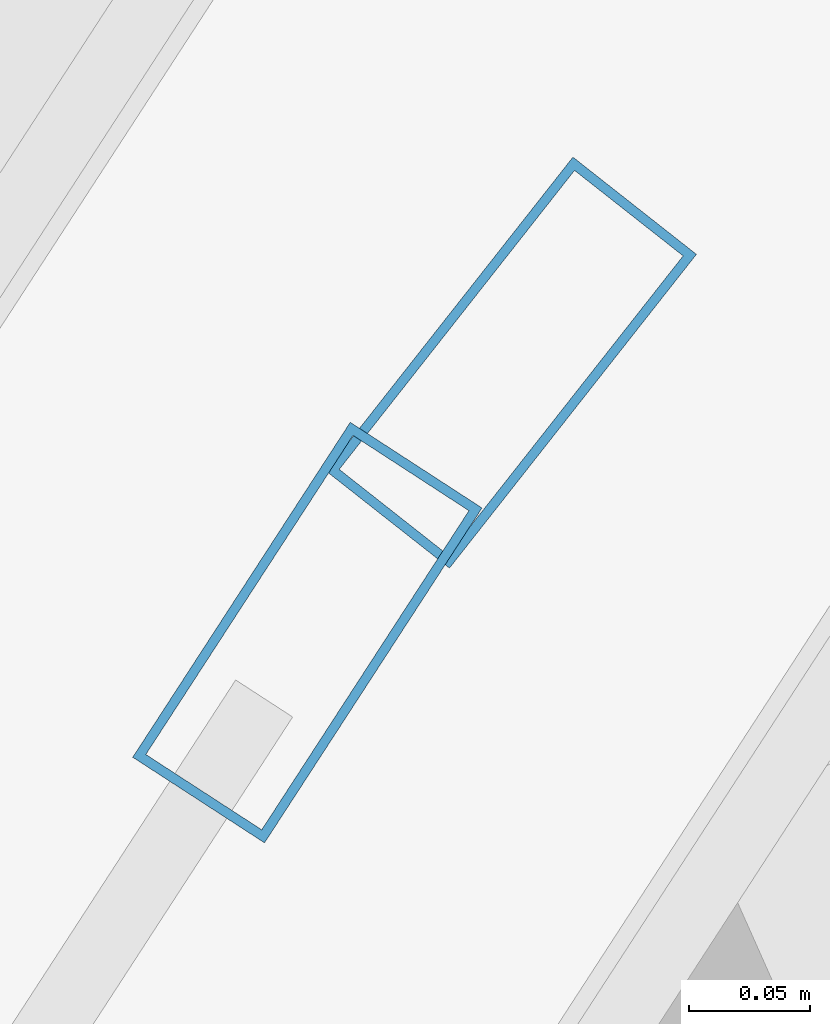
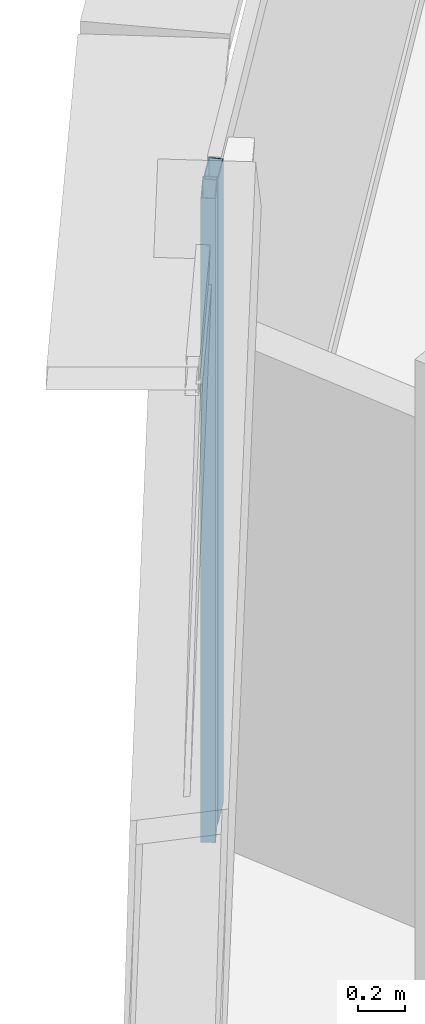
# One storey, part 17 of 38: 2 members, 2 elements without a shape of their own.
"""IFC4 building model written with IfcOpenShell, lengths in metres."""

from ifc_helpers import new_model, si_unit, direction, frame, origin, origin_2d, place, context, subcontext, project, spatial, hollow_rectangle, extrude, source, transform, mapped, material, layer, layer_set, material_profile, profile_set, type_object, element, aggregate, save


model = new_model("IFC4")

# Units and contexts
model_context = context("Model", 3, precision=1e-05, world=origin(), true_north=direction((0.0, 1.0)))
body_context = subcontext(model_context, "Body", "Model", "MODEL_VIEW")
ifc_project = project(units=[si_unit("LENGTHUNIT", "METRE"), si_unit("AREAUNIT", "SQUARE_METRE"), si_unit("VOLUMEUNIT", "CUBIC_METRE"), si_unit("PLANEANGLEUNIT", "RADIAN"), si_unit("MASSUNIT", "GRAM", prefix="KILO"), si_unit("THERMODYNAMICTEMPERATUREUNIT", "KELVIN"), si_unit("POWERUNIT", "WATT")], contexts=[model_context])

# Site, building, storey
site_placement = place(None, origin())
site = spatial("IfcSite", under=ifc_project, at=site_placement, CompositionType="ELEMENT")
building_placement = place(site_placement, origin())
building = spatial("IfcBuilding", under=site, at=building_placement, Name="Yunzhuo Pagoda Commons", CompositionType="ELEMENT")
storey_placement = place(building_placement, frame((0.0, 0.0, 30.39990234375)))
storey = spatial("IfcBuildingStorey", under=building, at=storey_placement, Name="L07", CompositionType="ELEMENT", Elevation=30.39990234375)

# Curtain wall, member
ifc_material = material(Name="Anodized aluminium 6063-T6", Category="aluminium")
ifc_layer = layer(ifc_material, 0.1650390625)
ifc_layer_set = layer_set([ifc_layer], Name="Anodized aluminium 6063-T6")
curtain_wall_type = type_object("IfcCurtainWallType", Name="CW-LOW Low-Zone Ribbon Curtain Wall", PredefinedType="NOTDEFINED", material=ifc_layer_set)
curtain_wall_1_placement = place(storey_placement, origin())
curtain_wall_1 = element("IfcCurtainWall", 1, at=curtain_wall_1_placement, inside=storey, type_object=curtain_wall_type, Name="L07 curtain wall CW-L07-F3B2", PredefinedType="NOTDEFINED")
ifc_material_profile = material_profile(ifc_material, hollow_rectangle(XDim=0.06494140625, YDim=0.1650390625, WallThickness=0.00390625, at=origin_2d()), Name="Anodized aluminium 6063-T6")
ifc_profile_set = profile_set([ifc_material_profile], Name="Anodized aluminium 6063-T6")
member_type = type_object("IfcMemberType", Name="CW-LOW-M Mullion RHS 165x65x4", PredefinedType="MULLION", material=ifc_profile_set)
shared_shape = source(origin(), body_context, "Body", "SweptSolid", [
    extrude(hollow_rectangle(XDim=0.06494140625, YDim=0.1650390625, WallThickness=0.00390625, at=origin_2d()), origin(), (0.0, 0.0, 1.0), 3.370361328125),
])
member_1_placement = place(storey_placement, frame((30.54296875, 72.84228515625, 0.0), z_axis=(0.0, 0.0, 1.0), x_axis=(0.83865240069, -0.544667009114, 0.0)))
member_1 = element("IfcMember", 2, at=member_1_placement, type_object=member_type, Name="CW mullion 1", PredefinedType="MULLION", context=body_context, shape_type="MappedRepresentation", body=[
    mapped(shared_shape, transform((0.0, 0.0, 0.0), scale=1.0)),
])
aggregate(curtain_wall_1, [member_1])

curtain_wall_2_placement = place(storey_placement, origin())
curtain_wall_2 = element("IfcCurtainWall", 3, at=curtain_wall_2_placement, inside=storey, type_object=curtain_wall_type, Name="L07 curtain wall CW-L07-F3B1", PredefinedType="NOTDEFINED")
member_2_placement = place(storey_placement, frame((30.627197265625, 72.953857421875, 0.0), z_axis=(0.0, 0.0, 1.0), x_axis=(0.785799632369, -0.618481153932, 0.0)))
member_2 = element("IfcMember", 4, at=member_2_placement, type_object=member_type, Name="CW mullion 3", PredefinedType="MULLION", context=body_context, shape_type="MappedRepresentation", body=[
    mapped(shared_shape, transform((0.0, 0.0, 0.0), scale=1.0)),
])
aggregate(curtain_wall_2, [member_2])

save(model, "model.ifc")
